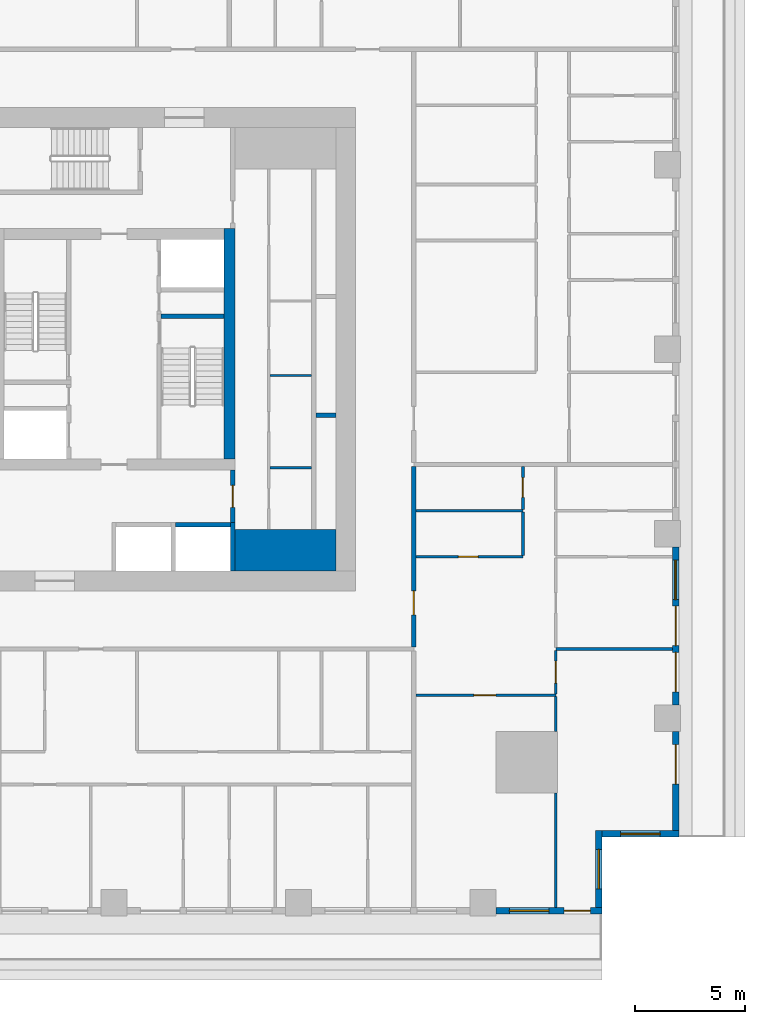
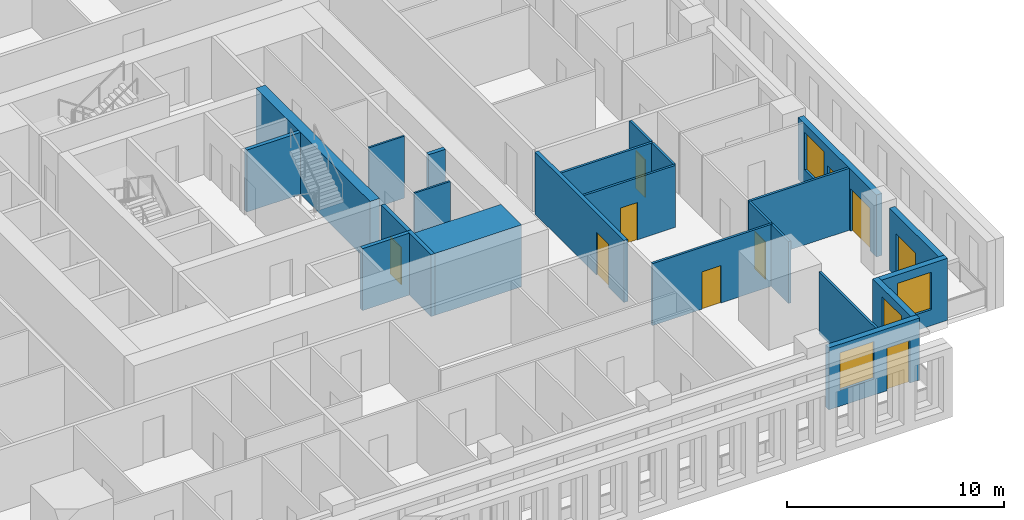
# One storey, part 5 of 15: 24 walls, 10 doors, 4 windows, 14 openings.
"""IFC4 building model written with IfcOpenShell, lengths in metres."""

from ifc_helpers import new_model, si_unit, direction, frame, frame_2d, origin, place, context, subcontext, project, spatial, rectangle, extrude, material, layer, layer_set, type_object, element, fill, save


model = new_model("IFC4")

# Units and contexts
model_context = context("Model", 3, precision=1e-05, world=origin(), true_north=direction((0.0, 1.0)))
body_context = subcontext(model_context, "Body", "Model", "MODEL_VIEW")
ifc_project = project(units=[si_unit("LENGTHUNIT", "METRE"), si_unit("AREAUNIT", "SQUARE_METRE"), si_unit("VOLUMEUNIT", "CUBIC_METRE"), si_unit("PLANEANGLEUNIT", "RADIAN"), si_unit("MASSUNIT", "GRAM", prefix="KILO")], contexts=[model_context])

# Site, building, storey
site_placement = place(None, origin())
site = spatial("IfcSite", under=ifc_project, at=site_placement, CompositionType="ELEMENT")
building_placement = place(site_placement, origin())
building = spatial("IfcBuilding", under=site, at=building_placement, Name="Khepri Terraces", CompositionType="ELEMENT")
storey_placement = place(building_placement, frame((0.0, 0.0, 94.800048828125)))
storey = spatial("IfcBuildingStorey", under=building, at=storey_placement, Name="L22", CompositionType="ELEMENT", Elevation=94.800048828125)

# Walls
ifc_material_1 = material(Name="Concrete C70/85", Category="concrete")
ifc_layer_1 = layer(ifc_material_1, 1.89990234375, Name="Concrete C70/85", Category="concrete")
ifc_layer_set_1 = layer_set([ifc_layer_1], Name="Concrete C70/85")
wall_type_1 = type_object("IfcWallType", Name="Core wall 1900 C70/85", PredefinedType="SHEAR", material=ifc_layer_set_1)
wall_1_placement = place(storey_placement, frame((5.5, -9.14990234375, 0.0), z_axis=(0.0, 0.0, 1.0), x_axis=(1.0, 0.0, 0.0)))
element("IfcWall", 1, at=wall_1_placement, inside=storey, type_object=wall_type_1, Name="Core wall PR02 L22", PredefinedType="SHEAR", context=body_context, shape_type="SweptSolid", body=[
    extrude(rectangle(XDim=4.60009765625, YDim=1.89990234375, at=frame_2d((2.300048828125, 0.0))), origin(), (0.0, 0.0, 1.0), 3.47998046875),
])
ifc_layer_2 = layer(ifc_material_1, 0.199951171875, Name="Concrete C70/85", Category="concrete")
ifc_layer_set_2 = layer_set([ifc_layer_2], Name="Concrete C70/85")
wall_type_2 = type_object("IfcWallType", Name="Core wall 200 C70/85", PredefinedType="SHEAR", material=ifc_layer_set_2)
wall_2_placement = place(storey_placement, frame((2.14990234375, 1.5, 0.0), z_axis=(0.0, 0.0, 1.0), x_axis=(1.0, 0.0, 0.0)))
element("IfcWall", 2, at=wall_2_placement, inside=storey, type_object=wall_type_2, Name="Core wall ST04 L22", PredefinedType="SHEAR", context=body_context, shape_type="SweptSolid", body=[
    extrude(rectangle(XDim=2.85009765625, YDim=0.199951171875, at=frame_2d((1.425048828125, 0.0))), origin(), (0.0, 0.0, 1.0), 3.47998046875),
])
wall_3_placement = place(storey_placement, frame((5.39990234375, -10.10009765625, 0.0), z_axis=(0.0, 0.0, 1.0), x_axis=(0.0, 1.0, 0.0)))
element("IfcWall", 3, at=wall_3_placement, inside=storey, type_object=wall_type_2, Name="Core wall SH03 L22", PredefinedType="SHEAR", context=body_context, shape_type="SweptSolid", body=[
    extrude(rectangle(XDim=2.2001953125, YDim=0.199951171875, at=frame_2d((1.10009765625, 0.0))), origin(), (0.0, 0.0, 1.0), 3.47998046875),
])
wall_4_placement = place(storey_placement, frame((2.800048828125, -8.0, 0.0), z_axis=(0.0, 0.0, 1.0), x_axis=(1.0, 0.0, 0.0)))
element("IfcWall", 4, at=wall_4_placement, inside=storey, type_object=wall_type_2, Name="Core wall SH07 L22", PredefinedType="SHEAR", context=body_context, shape_type="SweptSolid", body=[
    extrude(rectangle(XDim=2.5, YDim=0.199951171875, at=frame_2d((1.25, 0.0))), origin(), (0.0, 0.0, 1.0), 3.47998046875),
])
wall_5_placement = place(storey_placement, frame((9.199951171875, -3.0, 0.0), z_axis=(0.0, 0.0, 1.0), x_axis=(1.0, 0.0, 0.0)))
element("IfcWall", 5, at=wall_5_placement, inside=storey, type_object=wall_type_2, Name="Core wall SH11 L22", PredefinedType="SHEAR", context=body_context, shape_type="SweptSolid", body=[
    extrude(rectangle(XDim=0.900146484375, YDim=0.199951171875, at=frame_2d((0.4501953125, 0.0))), origin(), (0.0, 0.0, 1.0), 3.47998046875),
])
ifc_layer_3 = layer(ifc_material_1, 0.5, Name="Concrete C70/85", Category="concrete")
ifc_layer_set_3 = layer_set([ifc_layer_3], Name="Concrete C70/85")
wall_type_3 = type_object("IfcWallType", Name="Core wall 500 C70/85", PredefinedType="SHEAR", material=ifc_layer_set_3)
wall_6_placement = place(storey_placement, frame((5.25, -5.0, 0.0), z_axis=(0.0, 0.0, 1.0), x_axis=(0.0, 1.0, 0.0)))
element("IfcWall", 6, at=wall_6_placement, inside=storey, type_object=wall_type_3, Name="Core wall BX03 L22", PredefinedType="SHEAR", context=body_context, shape_type="SweptSolid", body=[
    extrude(rectangle(XDim=10.5, YDim=0.5, at=frame_2d((5.25, 0.0))), origin(), (0.0, 0.0, 1.0), 3.47998046875),
])
ifc_material_2 = material(Name="Fire-rated gypsum board partition")
ifc_layer_4 = layer(ifc_material_2, 0.10009765625, Name="Fire-rated gypsum board partition")
ifc_layer_set_4 = layer_set([ifc_layer_4], Name="Fire-rated gypsum board partition")
wall_type_4 = type_object("IfcWallType", Name="WL-CORE-PART-100", PredefinedType="PARTITIONING", material=ifc_layer_set_4)
for number, where, z_axis, x_axis, name in (
    (7, (7.10009765625, -5.39990234375, 0.0), (0.0, 0.0, 1.0), (1.0, 0.0, 0.0), "Core partition PT04 L22"),
    (8, (7.10009765625, -1.199951171875, 0.0), (0.0, 0.0, 1.0), (1.0, 0.0, 0.0), "Core partition PT05 L22"),
):
    element("IfcWall", number, at=place(storey_placement, frame(where, z_axis=z_axis, x_axis=x_axis)), inside=storey, type_object=wall_type_4, Name=name, PredefinedType="PARTITIONING", context=body_context, shape_type="SweptSolid", body=[
        extrude(rectangle(XDim=1.89990234375, YDim=0.10009765625, at=frame_2d((0.949951171875, 0.0))), origin(), (0.0, 0.0, 1.0), 3.47998046875),
    ])

# Wall, opening, door
ifc_layer_5 = layer(ifc_material_2, 0.199951171875, Name="Fire-rated gypsum board partition")
ifc_layer_set_5 = layer_set([ifc_layer_5], Name="Fire-rated gypsum board partition")
wall_type_5 = type_object("IfcWallType", Name="WL-CORE-PART-200", PredefinedType="PARTITIONING", material=ifc_layer_set_5)
wall_7_placement = place(storey_placement, frame((5.39990234375, -7.89990234375, 0.0), z_axis=(0.0, 0.0, 1.0), x_axis=(0.0, 1.0, 0.0)))
wall_7 = element("IfcWall", 9, at=wall_7_placement, inside=storey, type_object=wall_type_5, Name="Core partition PT03 L22", PredefinedType="PARTITIONING", context=body_context, shape_type="SweptSolid", body=[
    extrude(rectangle(XDim=2.39990234375, YDim=0.199951171875, at=frame_2d((1.199951171875, 0.0))), origin(), (0.0, 0.0, 1.0), 3.47998046875),
])
opening_1_placement = place(wall_7_placement, frame((0.699951171875, 0.0, 0.0)))
opening_1 = element("IfcOpeningElement", 10, at=opening_1_placement, cuts=wall_7, Name="Opening L22-C19", PredefinedType="OPENING", context=body_context, shape_type="SweptSolid", body=[
    extrude(rectangle(XDim=1.0, YDim=2.10009765625, at=frame_2d((0.5, 1.050048828125))), frame((0.0, 0.10986328125, 0.0), z_axis=(0.0, -1.0, 0.0), x_axis=(1.0, 0.0, 0.0)), (0.0, 0.0, 1.0), 0.219970703125),
])
ifc_material_3 = material(Name="Painted steel", Category="steel")
door_type_1 = type_object("IfcDoorType", Name="DR-CORE-LOBBY-1000", OperationType="NOTDEFINED", PredefinedType="DOOR", material=ifc_material_3)
door_1_placement = place(opening_1_placement, origin())
door_1 = element("IfcDoor", 11, at=door_1_placement, inside=storey, type_object=door_type_1, Name="Lobby door L22-C19", OperationType="SINGLE_SWING_RIGHT", OverallHeight=2.10009765625, OverallWidth=1.0, PredefinedType="DOOR", context=body_context, shape_type="SweptSolid", body=[
    extrude(rectangle(XDim=1.0, YDim=2.10009765625, at=frame_2d((0.5, 1.050048828125))), frame((0.0, 0.02490234375, 0.0), z_axis=(0.0, -1.0, 0.0), x_axis=(1.0, 0.0, 0.0)), (0.0, 0.0, 1.0), 0.050048828125),
])
fill(opening_1, door_1)

ifc_material_4 = material(Name="Fire-rated gypsum plasterboard partition, mineral wool")
ifc_layer_6 = layer(ifc_material_4, 0.199951171875, Name="Fire-rated gypsum plasterboard partition, mineral wool")
ifc_layer_set_6 = layer_set([ifc_layer_6], Name="Fire-rated gypsum plasterboard partition, mineral wool")
wall_type_6 = type_object("IfcWallType", Name="WL-CORR-200", PredefinedType="PARTITIONING", material=ifc_layer_set_6)
wall_8_placement = place(storey_placement, frame((13.64990234375, -13.550048828125, 0.0), z_axis=(0.0, 0.0, 1.0), x_axis=(0.0, 1.0, 0.0)))
wall_8 = element("IfcWall", 12, at=wall_8_placement, inside=storey, type_object=wall_type_6, Name="Partition P-035 L22", PredefinedType="PARTITIONING", context=body_context, shape_type="SweptSolid", body=[
    extrude(rectangle(XDim=8.199951171875, YDim=0.199951171875, at=frame_2d((4.10009765625, 0.0))), origin(), (0.0, 0.0, 1.0), 3.47998046875),
])
opening_2_placement = place(wall_8_placement, frame((1.449951171875, 0.0, 0.0)))
opening_2 = element("IfcOpeningElement", 13, at=opening_2_placement, cuts=wall_8, Name="Opening D1", PredefinedType="OPENING", context=body_context, shape_type="SweptSolid", body=[
    extrude(rectangle(XDim=1.10009765625, YDim=2.39990234375, at=frame_2d((0.550048828125, 1.199951171875))), frame((0.0, 0.10986328125, 0.0), z_axis=(0.0, -1.0, 0.0), x_axis=(1.0, 0.0, 0.0)), (0.0, 0.0, 1.0), 0.219970703125),
])
ifc_material_5 = material(Name="Solid-core timber door leaf, flat entrance door", Category="wood")
door_type_2 = type_object("IfcDoorType", Name="DR-ENT-1100", OperationType="NOTDEFINED", PredefinedType="DOOR", material=ifc_material_5)
door_2_placement = place(opening_2_placement, frame((1.10009765625, 0.0, 0.0), z_axis=(0.0, 0.0, 1.0), x_axis=(-1.0, 0.0, 0.0)))
door_2 = element("IfcDoor", 14, at=door_2_placement, inside=storey, type_object=door_type_2, Name="Flat B1 entrance door", OperationType="SINGLE_SWING_RIGHT", OverallHeight=2.39990234375, OverallWidth=1.10009765625, PredefinedType="DOOR", context=body_context, shape_type="SweptSolid", body=[
    extrude(rectangle(XDim=1.10009765625, YDim=2.39990234375, at=frame_2d((0.550048828125, 1.199951171875))), frame((0.0, 0.02490234375, 0.0), z_axis=(0.0, -1.0, 0.0), x_axis=(1.0, 0.0, 0.0)), (0.0, 0.0, 1.0), 0.050048828125),
])
fill(opening_2, door_2)

# Wall, opening, window
ifc_material_6 = material(Name="Precast concrete C50/60 warm stone", Category="masonry")
ifc_layer_7 = layer(ifc_material_6, 0.300048828125, Name="Precast concrete C50/60 warm stone", Category="masonry")
ifc_layer_set_7 = layer_set([ifc_layer_7], Name="Precast concrete C50/60 warm stone")
wall_type_7 = type_object("IfcWallType", Name="WL-EXT-PRECAST-300", PredefinedType="STANDARD", material=ifc_layer_set_7)
wall_9_placement = place(storey_placement, frame((22.219970703125, -22.070068359375, 0.0), z_axis=(0.0, 0.0, 1.0), x_axis=(1.0, 0.0, 0.0)))
wall_9 = element("IfcWall", 15, at=wall_9_placement, inside=storey, type_object=wall_type_7, Name="External wall L22 S", PredefinedType="STANDARD", context=body_context, shape_type="SweptSolid", body=[
    extrude(rectangle(XDim=3.5, YDim=0.300048828125, at=frame_2d((1.75, 0.0))), origin(), (0.0, 0.0, 1.0), 3.47998046875),
])
opening_3_placement = place(wall_9_placement, frame((0.85009765625, 0.0, 0.89990234375)))
opening_3 = element("IfcOpeningElement", 16, at=opening_3_placement, cuts=wall_9, Name="Opening W1", PredefinedType="OPENING", context=body_context, shape_type="SweptSolid", body=[
    extrude(rectangle(XDim=1.800048828125, YDim=2.10009765625, at=frame_2d((0.89990234375, 1.050048828125))), frame((0.0, 0.16015625, 0.0), z_axis=(0.0, -1.0, 0.0), x_axis=(1.0, 0.0, 0.0)), (0.0, 0.0, 1.0), 0.320068359375),
])
ifc_material_7 = material(Name="Clear glass", Category="glass")
window_type = type_object("IfcWindowType", Name="WIN-RES-1800x2100", PartitioningType="SINGLE_PANEL", PredefinedType="WINDOW", material=ifc_material_7)
window_1_placement = place(opening_3_placement, origin())
window_1 = element("IfcWindow", 17, at=window_1_placement, inside=storey, type_object=window_type, Name="Window L22 S", OverallHeight=2.10009765625, OverallWidth=1.800048828125, PartitioningType="SINGLE_PANEL", PredefinedType="WINDOW", context=body_context, shape_type="SweptSolid", body=[
    extrude(rectangle(XDim=1.800048828125, YDim=2.10009765625, at=frame_2d((0.89990234375, 1.050048828125))), frame((0.0, 0.030029296875, 0.0), z_axis=(0.0, -1.0, 0.0), x_axis=(1.0, 0.0, 0.0)), (0.0, 0.0, 1.0), 0.06005859375),
])
fill(opening_3, window_1)

# Wall, opening, door
wall_10_placement = place(storey_placement, frame((25.570068359375, -21.919921875, 0.0), z_axis=(0.0, 0.0, 1.0), x_axis=(0.0, 1.0, 0.0)))
wall_10 = element("IfcWall", 18, at=wall_10_placement, inside=storey, type_object=wall_type_7, Name="External wall L22 E", PredefinedType="STANDARD", context=body_context, shape_type="SweptSolid", body=[
    extrude(rectangle(XDim=4.52001953125, YDim=0.300048828125, at=frame_2d((2.260009765625, 0.0))), origin(), (0.0, 0.0, 1.0), 3.47998046875),
])
opening_4_placement = place(wall_10_placement, frame((2.1201171875, 0.0, 0.0)))
opening_4 = element("IfcOpeningElement", 19, at=opening_4_placement, cuts=wall_10, Name="Opening ED-L22-01", PredefinedType="OPENING", context=body_context, shape_type="SweptSolid", body=[
    extrude(rectangle(XDim=1.800048828125, YDim=2.39990234375, at=frame_2d((0.89990234375, 1.199951171875))), frame((0.0, 0.16015625, 0.0), z_axis=(0.0, -1.0, 0.0), x_axis=(1.0, 0.0, 0.0)), (0.0, 0.0, 1.0), 0.320068359375),
])
ifc_material_8 = material(Name="Anodised aluminium bronze glazed door", Category="aluminium")
door_type_3 = type_object("IfcDoorType", Name="DR-BAL-SLIDE-1800x2400", OperationType="NOTDEFINED", PredefinedType="DOOR", material=ifc_material_8)
door_3_placement = place(opening_4_placement, origin())
door_3 = element("IfcDoor", 20, at=door_3_placement, inside=storey, type_object=door_type_3, Name="Balcony door L22 E", OperationType="SLIDING_TO_RIGHT", OverallHeight=2.39990234375, OverallWidth=1.800048828125, PredefinedType="DOOR", context=body_context, shape_type="SweptSolid", body=[
    extrude(rectangle(XDim=1.800048828125, YDim=2.39990234375, at=frame_2d((0.89990234375, 1.199951171875))), frame((0.0, 0.02490234375, 0.0), z_axis=(0.0, -1.0, 0.0), x_axis=(1.0, 0.0, 0.0)), (0.0, 0.0, 1.0), 0.050048828125),
])
fill(opening_4, door_3)

# Wall, openings, doors, window
wall_11_placement = place(storey_placement, frame((25.570068359375, -16.199951171875, 0.0), z_axis=(0.0, 0.0, 1.0), x_axis=(0.0, 1.0, 0.0)))
wall_11 = element("IfcWall", 21, at=wall_11_placement, inside=storey, type_object=wall_type_7, Name="External wall L22 E", PredefinedType="STANDARD", context=body_context, shape_type="SweptSolid", body=[
    extrude(rectangle(XDim=7.199951171875, YDim=0.300048828125, at=frame_2d((3.60009765625, 0.0))), origin(), (0.0, 0.0, 1.0), 3.47998046875),
])
opening_5_placement = place(wall_11_placement, frame((0.60009765625, 0.0, 0.0)))
opening_5 = element("IfcOpeningElement", 22, at=opening_5_placement, cuts=wall_11, Name="Opening ED-L22-02", PredefinedType="OPENING", context=body_context, shape_type="SweptSolid", body=[
    extrude(rectangle(XDim=1.800048828125, YDim=2.39990234375, at=frame_2d((0.89990234375, 1.199951171875))), frame((0.0, 0.16015625, 0.0), z_axis=(0.0, -1.0, 0.0), x_axis=(1.0, 0.0, 0.0)), (0.0, 0.0, 1.0), 0.320068359375),
])
opening_6_placement = place(wall_11_placement, frame((2.699951171875, 0.0, 0.0)))
opening_6 = element("IfcOpeningElement", 23, at=opening_6_placement, cuts=wall_11, Name="Opening ED-L22-03", PredefinedType="OPENING", context=body_context, shape_type="SweptSolid", body=[
    extrude(rectangle(XDim=1.800048828125, YDim=2.39990234375, at=frame_2d((0.89990234375, 1.199951171875))), frame((0.0, 0.16015625, 0.0), z_axis=(0.0, -1.0, 0.0), x_axis=(1.0, 0.0, 0.0)), (0.0, 0.0, 1.0), 0.320068359375),
])
opening_7_placement = place(wall_11_placement, frame((4.800048828125, 0.0, 0.89990234375)))
opening_7 = element("IfcOpeningElement", 24, at=opening_7_placement, cuts=wall_11, Name="Opening W1", PredefinedType="OPENING", context=body_context, shape_type="SweptSolid", body=[
    extrude(rectangle(XDim=1.800048828125, YDim=2.10009765625, at=frame_2d((0.89990234375, 1.050048828125))), frame((0.0, 0.16015625, 0.0), z_axis=(0.0, -1.0, 0.0), x_axis=(1.0, 0.0, 0.0)), (0.0, 0.0, 1.0), 0.320068359375),
])
door_4_placement = place(opening_5_placement, origin())
door_4 = element("IfcDoor", 25, at=door_4_placement, inside=storey, type_object=door_type_3, Name="Balcony door L22 E", OperationType="SLIDING_TO_LEFT", OverallHeight=2.39990234375, OverallWidth=1.800048828125, PredefinedType="DOOR", context=body_context, shape_type="SweptSolid", body=[
    extrude(rectangle(XDim=1.800048828125, YDim=2.39990234375, at=frame_2d((0.89990234375, 1.199951171875))), frame((0.0, 0.02490234375, 0.0), z_axis=(0.0, -1.0, 0.0), x_axis=(1.0, 0.0, 0.0)), (0.0, 0.0, 1.0), 0.050048828125),
])
fill(opening_5, door_4)
door_5_placement = place(opening_6_placement, origin())
door_5 = element("IfcDoor", 26, at=door_5_placement, inside=storey, type_object=door_type_3, Name="Balcony door L22 E", OperationType="SLIDING_TO_RIGHT", OverallHeight=2.39990234375, OverallWidth=1.800048828125, PredefinedType="DOOR", context=body_context, shape_type="SweptSolid", body=[
    extrude(rectangle(XDim=1.800048828125, YDim=2.39990234375, at=frame_2d((0.89990234375, 1.199951171875))), frame((0.0, 0.02490234375, 0.0), z_axis=(0.0, -1.0, 0.0), x_axis=(1.0, 0.0, 0.0)), (0.0, 0.0, 1.0), 0.050048828125),
])
fill(opening_6, door_5)
window_2_placement = place(opening_7_placement, origin())
window_2 = element("IfcWindow", 27, at=window_2_placement, inside=storey, type_object=window_type, Name="Window L22 E", OverallHeight=2.10009765625, OverallWidth=1.800048828125, PartitioningType="SINGLE_PANEL", PredefinedType="WINDOW", context=body_context, shape_type="SweptSolid", body=[
    extrude(rectangle(XDim=1.800048828125, YDim=2.10009765625, at=frame_2d((0.89990234375, 1.050048828125))), frame((0.0, 0.030029296875, 0.0), z_axis=(0.0, -1.0, 0.0), x_axis=(1.0, 0.0, 0.0)), (0.0, 0.0, 1.0), 0.06005859375),
])
fill(opening_7, window_2)

# Wall, openings, door, window
wall_12_placement = place(storey_placement, frame((17.39990234375, -25.570068359375, 0.0), z_axis=(0.0, 0.0, 1.0), x_axis=(1.0, 0.0, 0.0)))
wall_12 = element("IfcWall", 28, at=wall_12_placement, inside=storey, type_object=wall_type_7, Name="External wall L22 S", PredefinedType="STANDARD", context=body_context, shape_type="SweptSolid", body=[
    extrude(rectangle(XDim=4.820068359375, YDim=0.300048828125, at=frame_2d((2.41015625, 0.0))), origin(), (0.0, 0.0, 1.0), 3.47998046875),
])
opening_8_placement = place(wall_12_placement, frame((0.60009765625, 0.0, 0.89990234375)))
opening_8 = element("IfcOpeningElement", 29, at=opening_8_placement, cuts=wall_12, Name="Opening W1", PredefinedType="OPENING", context=body_context, shape_type="SweptSolid", body=[
    extrude(rectangle(XDim=1.800048828125, YDim=2.10009765625, at=frame_2d((0.89990234375, 1.050048828125))), frame((0.0, 0.16015625, 0.0), z_axis=(0.0, -1.0, 0.0), x_axis=(1.0, 0.0, 0.0)), (0.0, 0.0, 1.0), 0.320068359375),
])
opening_9_placement = place(wall_12_placement, frame((3.094970703125, 0.0, 0.0)))
opening_9 = element("IfcOpeningElement", 30, at=opening_9_placement, cuts=wall_12, Name="Opening ED-L22-24", PredefinedType="OPENING", context=body_context, shape_type="SweptSolid", body=[
    extrude(rectangle(XDim=1.199951171875, YDim=2.39990234375, at=frame_2d((0.60009765625, 1.199951171875))), frame((0.0, 0.16015625, 0.0), z_axis=(0.0, -1.0, 0.0), x_axis=(1.0, 0.0, 0.0)), (0.0, 0.0, 1.0), 0.320068359375),
])
door_type_4 = type_object("IfcDoorType", Name="DR-BAL-SLIDE-1200x2400", OperationType="NOTDEFINED", PredefinedType="DOOR", material=ifc_material_8)
door_6_placement = place(opening_9_placement, origin())
door_6 = element("IfcDoor", 31, at=door_6_placement, inside=storey, type_object=door_type_4, Name="Balcony door L22 S", OperationType="SLIDING_TO_RIGHT", OverallHeight=2.39990234375, OverallWidth=1.199951171875, PredefinedType="DOOR", context=body_context, shape_type="SweptSolid", body=[
    extrude(rectangle(XDim=1.199951171875, YDim=2.39990234375, at=frame_2d((0.60009765625, 1.199951171875))), frame((0.0, 0.02490234375, 0.0), z_axis=(0.0, -1.0, 0.0), x_axis=(1.0, 0.0, 0.0)), (0.0, 0.0, 1.0), 0.050048828125),
])
fill(opening_9, door_6)
window_3_placement = place(opening_8_placement, origin())
window_3 = element("IfcWindow", 32, at=window_3_placement, inside=storey, type_object=window_type, Name="Window L22 S", OverallHeight=2.10009765625, OverallWidth=1.800048828125, PartitioningType="SINGLE_PANEL", PredefinedType="WINDOW", context=body_context, shape_type="SweptSolid", body=[
    extrude(rectangle(XDim=1.800048828125, YDim=2.10009765625, at=frame_2d((0.89990234375, 1.050048828125))), frame((0.0, 0.030029296875, 0.0), z_axis=(0.0, -1.0, 0.0), x_axis=(1.0, 0.0, 0.0)), (0.0, 0.0, 1.0), 0.06005859375),
])
fill(opening_8, window_3)

# Wall, opening, window
wall_13_placement = place(storey_placement, frame((22.070068359375, -25.419921875, 0.0), z_axis=(0.0, 0.0, 1.0), x_axis=(0.0, 1.0, 0.0)))
wall_13 = element("IfcWall", 33, at=wall_13_placement, inside=storey, type_object=wall_type_7, Name="External wall L22 E", PredefinedType="STANDARD", context=body_context, shape_type="SweptSolid", body=[
    extrude(rectangle(XDim=3.5, YDim=0.300048828125, at=frame_2d((1.75, 0.0))), origin(), (0.0, 0.0, 1.0), 3.47998046875),
])
opening_10_placement = place(wall_13_placement, frame((0.85009765625, 0.0, 0.89990234375)))
opening_10 = element("IfcOpeningElement", 34, at=opening_10_placement, cuts=wall_13, Name="Opening W1", PredefinedType="OPENING", context=body_context, shape_type="SweptSolid", body=[
    extrude(rectangle(XDim=1.800048828125, YDim=2.10009765625, at=frame_2d((0.89990234375, 1.050048828125))), frame((0.0, 0.16015625, 0.0), z_axis=(0.0, -1.0, 0.0), x_axis=(1.0, 0.0, 0.0)), (0.0, 0.0, 1.0), 0.320068359375),
])
window_4_placement = place(opening_10_placement, origin())
window_4 = element("IfcWindow", 35, at=window_4_placement, inside=storey, type_object=window_type, Name="Window L22 E", OverallHeight=2.10009765625, OverallWidth=1.800048828125, PartitioningType="SINGLE_PANEL", PredefinedType="WINDOW", context=body_context, shape_type="SweptSolid", body=[
    extrude(rectangle(XDim=1.800048828125, YDim=2.10009765625, at=frame_2d((0.89990234375, 1.050048828125))), frame((0.0, 0.030029296875, 0.0), z_axis=(0.0, -1.0, 0.0), x_axis=(1.0, 0.0, 0.0)), (0.0, 0.0, 1.0), 0.06005859375),
])
fill(opening_10, window_4)

# Walls
ifc_material_9 = material(Name="Gypsum plasterboard partition")
ifc_layer_8 = layer(ifc_material_9, 0.1201171875, Name="Gypsum plasterboard partition")
ifc_layer_set_8 = layer_set([ifc_layer_8], Name="Gypsum plasterboard partition")
wall_type_8 = type_object("IfcWallType", Name="WL-PART-120", PredefinedType="PARTITIONING", material=ifc_layer_set_8)
wall_14_placement = place(storey_placement, frame((20.1201171875, -25.419921875, 0.0), z_axis=(0.0, 0.0, 1.0), x_axis=(0.0, 1.0, 0.0)))
element("IfcWall", 36, at=wall_14_placement, inside=storey, type_object=wall_type_8, Name="Partition P-011 L22", PredefinedType="PARTITIONING", context=body_context, shape_type="SweptSolid", body=[
    extrude(rectangle(XDim=5.219970703125, YDim=0.1201171875, at=frame_2d((2.60986328125, 0.0))), origin(), (0.0, 0.0, 1.0), 3.47998046875),
])
wall_15_placement = place(storey_placement, frame((20.1201171875, -17.39990234375, 0.0), z_axis=(0.0, 0.0, 1.0), x_axis=(0.0, 1.0, 0.0)))
element("IfcWall", 37, at=wall_15_placement, inside=storey, type_object=wall_type_8, Name="Partition P-026 L22", PredefinedType="PARTITIONING", context=body_context, shape_type="SweptSolid", body=[
    extrude(rectangle(XDim=1.58984375, YDim=0.1201171875, at=frame_2d((0.794921875, 0.0))), origin(), (0.0, 0.0, 1.0), 3.47998046875),
])

# Wall, opening, door
wall_16_placement = place(storey_placement, frame((13.75, -15.75, 0.0), z_axis=(0.0, 0.0, 1.0), x_axis=(1.0, 0.0, 0.0)))
wall_16 = element("IfcWall", 38, at=wall_16_placement, inside=storey, type_object=wall_type_8, Name="Partition P-027 L22", PredefinedType="PARTITIONING", context=body_context, shape_type="SweptSolid", body=[
    extrude(rectangle(XDim=6.3701171875, YDim=0.1201171875, at=frame_2d((3.18505859375, 0.0))), origin(), (0.0, 0.0, 1.0), 3.47998046875),
])
opening_11_placement = place(wall_16_placement, frame((2.635009765625, 0.0, 0.0)))
opening_11 = element("IfcOpeningElement", 39, at=opening_11_placement, cuts=wall_16, Name="Opening D2", PredefinedType="OPENING", context=body_context, shape_type="SweptSolid", body=[
    extrude(rectangle(XDim=1.0, YDim=2.10009765625, at=frame_2d((0.5, 1.050048828125))), frame((0.0, 0.070068359375, 0.0), z_axis=(0.0, -1.0, 0.0), x_axis=(1.0, 0.0, 0.0)), (0.0, 0.0, 1.0), 0.14013671875),
])
ifc_material_10 = material(Name="Timber door leaf, living room door", Category="wood")
door_type_5 = type_object("IfcDoorType", Name="DR-INT-1000", OperationType="NOTDEFINED", PredefinedType="DOOR", material=ifc_material_10)
door_7_placement = place(opening_11_placement, frame((1.0, 0.0, 0.0), z_axis=(0.0, 0.0, 1.0), x_axis=(-1.0, 0.0, 0.0)))
door_7 = element("IfcDoor", 40, at=door_7_placement, inside=storey, type_object=door_type_5, Name="Door Family Room", OperationType="SINGLE_SWING_RIGHT", OverallHeight=2.10009765625, OverallWidth=1.0, PredefinedType="DOOR", context=body_context, shape_type="SweptSolid", body=[
    extrude(rectangle(XDim=1.0, YDim=2.10009765625, at=frame_2d((0.5, 1.050048828125))), frame((0.0, 0.02490234375, 0.0), z_axis=(0.0, -1.0, 0.0), x_axis=(1.0, 0.0, 0.0)), (0.0, 0.0, 1.0), 0.050048828125),
])
fill(opening_11, door_7)

wall_17_placement = place(storey_placement, frame((20.1201171875, -15.68994140625, 0.0), z_axis=(0.0, 0.0, 1.0), x_axis=(0.0, 1.0, 0.0)))
wall_17 = element("IfcWall", 41, at=wall_17_placement, inside=storey, type_object=wall_type_8, Name="Partition P-028 L22", PredefinedType="PARTITIONING", context=body_context, shape_type="SweptSolid", body=[
    extrude(rectangle(XDim=1.97998046875, YDim=0.1201171875, at=frame_2d((0.989990234375, 0.0))), origin(), (0.0, 0.0, 1.0), 3.47998046875),
])
opening_12_placement = place(wall_17_placement, frame((0.489990234375, 0.0, 0.0)))
opening_12 = element("IfcOpeningElement", 42, at=opening_12_placement, cuts=wall_17, Name="Opening D2", PredefinedType="OPENING", context=body_context, shape_type="SweptSolid", body=[
    extrude(rectangle(XDim=1.0, YDim=2.10009765625, at=frame_2d((0.5, 1.050048828125))), frame((0.0, 0.070068359375, 0.0), z_axis=(0.0, -1.0, 0.0), x_axis=(1.0, 0.0, 0.0)), (0.0, 0.0, 1.0), 0.14013671875),
])
door_8_placement = place(opening_12_placement, frame((1.0, 0.0, 0.0), z_axis=(0.0, 0.0, 1.0), x_axis=(-1.0, 0.0, 0.0)))
door_8 = element("IfcDoor", 43, at=door_8_placement, inside=storey, type_object=door_type_5, Name="Door Living Room", OperationType="SINGLE_SWING_LEFT", OverallHeight=2.10009765625, OverallWidth=1.0, PredefinedType="DOOR", context=body_context, shape_type="SweptSolid", body=[
    extrude(rectangle(XDim=1.0, YDim=2.10009765625, at=frame_2d((0.5, 1.050048828125))), frame((0.0, 0.02490234375, 0.0), z_axis=(0.0, -1.0, 0.0), x_axis=(1.0, 0.0, 0.0)), (0.0, 0.0, 1.0), 0.050048828125),
])
fill(opening_12, door_8)

# Wall
wall_18_placement = place(storey_placement, frame((20.1201171875, -13.64990234375, 0.0), z_axis=(0.0, 0.0, 1.0), x_axis=(1.0, 0.0, 0.0)))
element("IfcWall", 44, at=wall_18_placement, inside=storey, type_object=wall_type_8, Name="Partition P-030 L22", PredefinedType="PARTITIONING", context=body_context, shape_type="SweptSolid", body=[
    extrude(rectangle(XDim=5.2998046875, YDim=0.1201171875, at=frame_2d((2.64990234375, 0.0))), origin(), (0.0, 0.0, 1.0), 3.47998046875),
])

# Wall, opening, door
wall_19_placement = place(storey_placement, frame((13.75, -9.449951171875, 0.0), z_axis=(0.0, 0.0, 1.0), x_axis=(1.0, 0.0, 0.0)))
wall_19 = element("IfcWall", 45, at=wall_19_placement, inside=storey, type_object=wall_type_8, Name="Partition P-038 L22", PredefinedType="PARTITIONING", context=body_context, shape_type="SweptSolid", body=[
    extrude(rectangle(XDim=4.8701171875, YDim=0.1201171875, at=frame_2d((2.43505859375, 0.0))), origin(), (0.0, 0.0, 1.0), 3.47998046875),
])
opening_13_placement = place(wall_19_placement, frame((1.93505859375, 0.0, 0.0)))
opening_13 = element("IfcOpeningElement", 46, at=opening_13_placement, cuts=wall_19, Name="Opening D4", PredefinedType="OPENING", context=body_context, shape_type="SweptSolid", body=[
    extrude(rectangle(XDim=0.89990234375, YDim=2.10009765625, at=frame_2d((0.449951171875, 1.050048828125))), frame((0.0, 0.070068359375, 0.0), z_axis=(0.0, -1.0, 0.0), x_axis=(1.0, 0.0, 0.0)), (0.0, 0.0, 1.0), 0.14013671875),
])
ifc_material_11 = material(Name="Timber door leaf, moisture resistant", Category="wood")
door_type_6 = type_object("IfcDoorType", Name="DR-WET-900", OperationType="NOTDEFINED", PredefinedType="DOOR", material=ifc_material_11)
door_9_placement = place(opening_13_placement, origin())
door_9 = element("IfcDoor", 47, at=door_9_placement, inside=storey, type_object=door_type_6, Name="Door Guest Bathroom", OperationType="SINGLE_SWING_LEFT", OverallHeight=2.10009765625, OverallWidth=0.89990234375, PredefinedType="DOOR", context=body_context, shape_type="SweptSolid", body=[
    extrude(rectangle(XDim=0.89990234375, YDim=2.10009765625, at=frame_2d((0.449951171875, 1.050048828125))), frame((0.0, 0.02490234375, 0.0), z_axis=(0.0, -1.0, 0.0), x_axis=(1.0, 0.0, 0.0)), (0.0, 0.0, 1.0), 0.050048828125),
])
fill(opening_13, door_9)

# Walls
wall_20_placement = place(storey_placement, frame((18.6201171875, -9.389892578125, 0.0), z_axis=(0.0, 0.0, 1.0), x_axis=(0.0, 1.0, 0.0)))
element("IfcWall", 48, at=wall_20_placement, inside=storey, type_object=wall_type_8, Name="Partition P-040 L22", PredefinedType="PARTITIONING", context=body_context, shape_type="SweptSolid", body=[
    extrude(rectangle(XDim=1.97998046875, YDim=0.1201171875, at=frame_2d((0.989990234375, 0.0))), origin(), (0.0, 0.0, 1.0), 3.47998046875),
])
wall_21_placement = place(storey_placement, frame((13.75, -7.35009765625, 0.0), z_axis=(0.0, 0.0, 1.0), x_axis=(1.0, 0.0, 0.0)))
element("IfcWall", 49, at=wall_21_placement, inside=storey, type_object=wall_type_8, Name="Partition P-045 L22", PredefinedType="PARTITIONING", context=body_context, shape_type="SweptSolid", body=[
    extrude(rectangle(XDim=4.8701171875, YDim=0.1201171875, at=frame_2d((2.43505859375, 0.0))), origin(), (0.0, 0.0, 1.0), 3.47998046875),
])

# Wall, opening, door
wall_22_placement = place(storey_placement, frame((18.6201171875, -7.2900390625, 0.0), z_axis=(0.0, 0.0, 1.0), x_axis=(0.0, 1.0, 0.0)))
wall_22 = element("IfcWall", 50, at=wall_22_placement, inside=storey, type_object=wall_type_8, Name="Partition P-047 L22", PredefinedType="PARTITIONING", context=body_context, shape_type="SweptSolid", body=[
    extrude(rectangle(XDim=1.93994140625, YDim=0.1201171875, at=frame_2d((0.969970703125, 0.0))), origin(), (0.0, 0.0, 1.0), 3.47998046875),
])
opening_14_placement = place(wall_22_placement, frame((0.5400390625, 0.0, 0.0)))
opening_14 = element("IfcOpeningElement", 51, at=opening_14_placement, cuts=wall_22, Name="Opening D3", PredefinedType="OPENING", context=body_context, shape_type="SweptSolid", body=[
    extrude(rectangle(XDim=0.89990234375, YDim=2.10009765625, at=frame_2d((0.449951171875, 1.050048828125))), frame((0.0, 0.070068359375, 0.0), z_axis=(0.0, -1.0, 0.0), x_axis=(1.0, 0.0, 0.0)), (0.0, 0.0, 1.0), 0.14013671875),
])
ifc_material_12 = material(Name="Timber door leaf", Category="wood")
door_type_7 = type_object("IfcDoorType", Name="DR-INT-900", OperationType="NOTDEFINED", PredefinedType="DOOR", material=ifc_material_12)
door_10_placement = place(opening_14_placement, origin())
door_10 = element("IfcDoor", 52, at=door_10_placement, inside=storey, type_object=door_type_7, Name="Door Kitchen", OperationType="SINGLE_SWING_RIGHT", OverallHeight=2.10009765625, OverallWidth=0.89990234375, PredefinedType="DOOR", context=body_context, shape_type="SweptSolid", body=[
    extrude(rectangle(XDim=0.89990234375, YDim=2.10009765625, at=frame_2d((0.449951171875, 1.050048828125))), frame((0.0, 0.02490234375, 0.0), z_axis=(0.0, -1.0, 0.0), x_axis=(1.0, 0.0, 0.0)), (0.0, 0.0, 1.0), 0.050048828125),
])
fill(opening_14, door_10)

save(model, "model.ifc")
